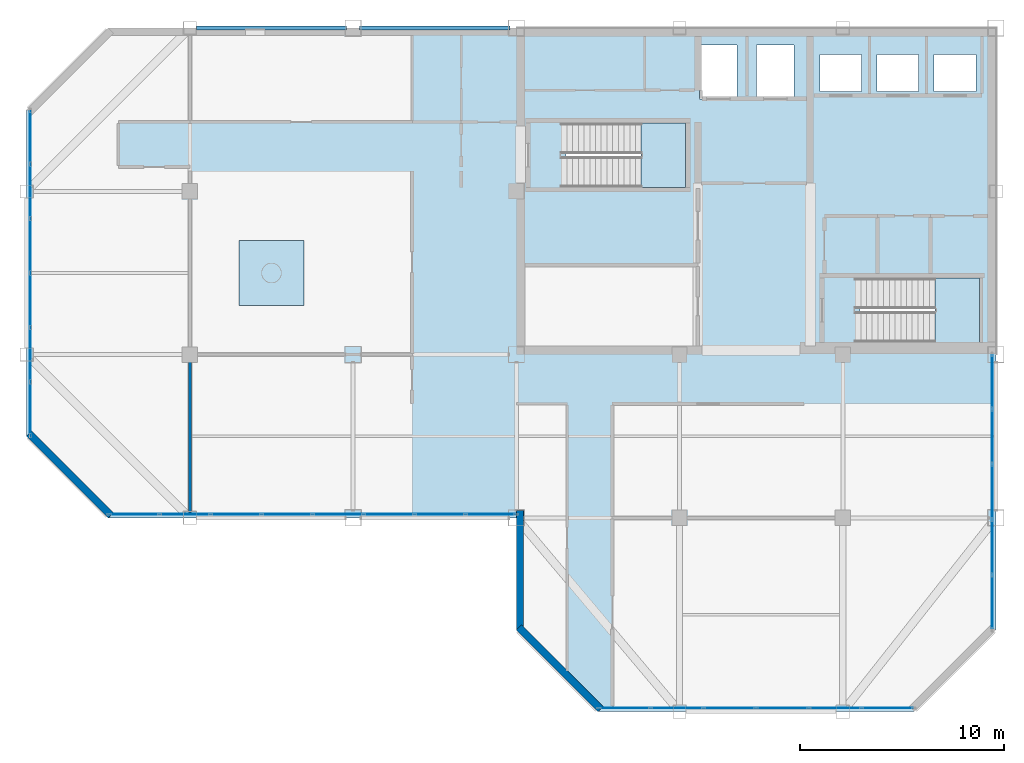
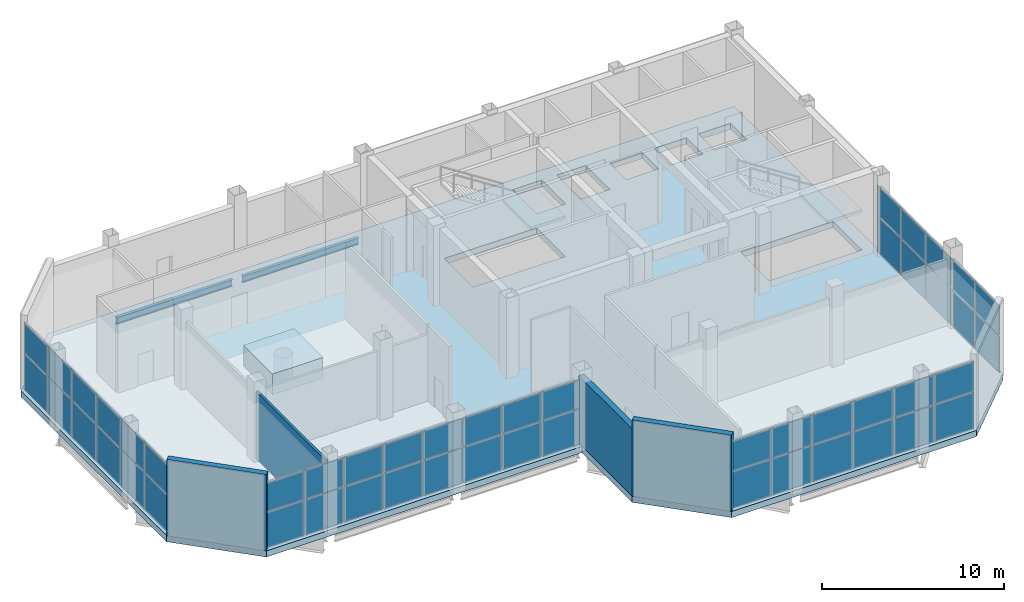
# One storey, part 11 of 17: 51 plates, 4 walls, 3 slabs, 2 beams, 6 elements without a shape of their own.
"""IFC4 building model written with IfcOpenShell, lengths in metres."""

from ifc_helpers import new_model, si_unit, direction, frame, frame_2d, origin, origin_2d, place, context, subcontext, project, spatial, polyline, rectangle, i_section, outline, extrude, material, layer, layer_set, material_profile, profile_set, type_object, element, aggregate, save


model = new_model("IFC4")

# Units and contexts
model_context = context("Model", 3, precision=1e-05, world=origin(), true_north=direction((0.0, 1.0)))
body_context = subcontext(model_context, "Body", "Model", "MODEL_VIEW")
ifc_project = project(units=[si_unit("LENGTHUNIT", "METRE"), si_unit("AREAUNIT", "SQUARE_METRE"), si_unit("VOLUMEUNIT", "CUBIC_METRE"), si_unit("PLANEANGLEUNIT", "RADIAN"), si_unit("MASSUNIT", "GRAM", prefix="KILO")], contexts=[model_context])

# Site, building, storey
site_placement = place(None, origin())
site = spatial("IfcSite", under=ifc_project, at=site_placement, CompositionType="ELEMENT")
building_placement = place(site_placement, origin())
building = spatial("IfcBuilding", under=site, at=building_placement, Name="Qianrong Seaharbour Tower", CompositionType="ELEMENT")
storey_placement = place(building_placement, frame((0.0, 0.0, 373.0)))
storey = spatial("IfcBuildingStorey", under=building, at=storey_placement, Name="L90", CompositionType="ELEMENT", Elevation=373.0)

# Beams
ifc_material_1 = material(Name="Structural steel SN400B", Category="steel")
ifc_material_profile = material_profile(ifc_material_1, i_section(OverallWidth=0.199951171875, OverallDepth=0.449951171875, WebThickness=0.009033203125, FlangeThickness=0.013916015625, FilletRadius=0.01806640625, at=origin_2d()), Name="H450x200x9x14")
ifc_profile_set = profile_set([ifc_material_profile], Name="Structural steel SN400B")
beam_type = type_object("IfcBeamType", Name="BM-SP-450", PredefinedType="SPANDREL", material=ifc_profile_set)
for number, where, z_axis, x_axis, name in (
    (1, (24.820068359375, 52.0, -0.635009765625), (1.0, 0.0, 0.0), (0.0, 1.0, 0.0), "L90 Spandrel Girder GH G4-G5"),
    (2, (32.820068359375, 52.0, -0.635009765625), (1.0, 0.0, 0.0), (0.0, 1.0, 0.0), "L90 Spandrel Girder GH G5-G6"),
):
    element("IfcBeam", number, at=place(storey_placement, frame(where, z_axis=z_axis, x_axis=x_axis)), inside=storey, type_object=beam_type, Name=name, PredefinedType="SPANDREL", context=body_context, shape_type="SweptSolid", body=[
        extrude(i_section(OverallWidth=0.199951171875, OverallDepth=0.449951171875, WebThickness=0.009033203125, FlangeThickness=0.013916015625, FilletRadius=0.01806640625, at=origin_2d()), origin(), (0.0, 0.0, 1.0), 7.35986328125),
    ])

# Curtain wall, plates
ifc_material_2 = material(Name="Anodised aluminium 6063-T6 and laminated low-e glass", Category="aluminium")
ifc_layer_1 = layer(ifc_material_2, 0.239990234375)
ifc_layer_set_1 = layer_set([ifc_layer_1], Name="Anodised aluminium 6063-T6 and laminated low-e glass")
curtain_wall_type = type_object("IfcCurtainWallType", Name="CW-SYS-6", PredefinedType="NOTDEFINED", material=ifc_layer_set_1)
curtain_wall_1_placement = place(storey_placement, origin())
curtain_wall_1 = element("IfcCurtainWall", 3, at=curtain_wall_1_placement, inside=storey, type_object=curtain_wall_type, Name="L90 TMD Exhibition Lantern Translucent Curtain Wall HARBOUR_RIBBON", PredefinedType="NOTDEFINED")
ifc_material_3 = material(Name="Translucent frosted laminated lantern glass", Category="glass")
ifc_layer_2 = layer(ifc_material_3, 0.0380859375)
ifc_layer_set_2 = layer_set([ifc_layer_2], Name="Translucent frosted laminated lantern glass")
plate_type_1 = type_object("IfcPlateType", Name="CW-PAN-LANTERN-38", PredefinedType="CURTAIN_PANEL", material=ifc_layer_set_2)
plate_1_placement = place(storey_placement, frame((39.248779296875, 28.179931640625, 0.070068359375), z_axis=(0.0, 0.0, 1.0), x_axis=(-1.0, 0.0, 0.0)))
plate_1 = element("IfcPlate", 4, at=plate_1_placement, type_object=plate_type_1, Name="CW-6 panel 1.1", PredefinedType="CURTAIN_PANEL", context=body_context, shape_type="SweptSolid", body=[
    extrude(rectangle(XDim=2.382568359375, YDim=0.0380859375, at=origin_2d()), origin(), (0.0, 0.0, 1.0), 2.353515625),
])
plate_2_placement = place(storey_placement, frame((39.248779296875, 28.179931640625, 2.49365234375), z_axis=(0.0, 0.0, 1.0), x_axis=(-1.0, 0.0, 0.0)))
plate_2 = element("IfcPlate", 5, at=plate_2_placement, type_object=plate_type_1, Name="CW-6 panel 1.2", PredefinedType="CURTAIN_PANEL", context=body_context, shape_type="SweptSolid", body=[
    extrude(rectangle(XDim=2.382568359375, YDim=0.0380859375, at=origin_2d()), origin(), (0.0, 0.0, 1.0), 1.906494140625),
])
plate_3_placement = place(storey_placement, frame((36.766357421875, 28.179931640625, 0.070068359375), z_axis=(0.0, 0.0, 1.0), x_axis=(-1.0, 0.0, 0.0)))
plate_3 = element("IfcPlate", 6, at=plate_3_placement, type_object=plate_type_1, Name="CW-6 panel 2.1", PredefinedType="CURTAIN_PANEL", context=body_context, shape_type="SweptSolid", body=[
    extrude(rectangle(XDim=2.422607421875, YDim=0.0380859375, at=origin_2d()), origin(), (0.0, 0.0, 1.0), 2.353515625),
])
plate_4_placement = place(storey_placement, frame((36.766357421875, 28.179931640625, 2.49365234375), z_axis=(0.0, 0.0, 1.0), x_axis=(-1.0, 0.0, 0.0)))
plate_4 = element("IfcPlate", 7, at=plate_4_placement, type_object=plate_type_1, Name="CW-6 panel 2.2", PredefinedType="CURTAIN_PANEL", context=body_context, shape_type="SweptSolid", body=[
    extrude(rectangle(XDim=2.422607421875, YDim=0.0380859375, at=origin_2d()), origin(), (0.0, 0.0, 1.0), 1.906494140625),
])
plate_5_placement = place(storey_placement, frame((34.263671875, 28.179931640625, 0.070068359375), z_axis=(0.0, 0.0, 1.0), x_axis=(-1.0, 0.0, 0.0)))
plate_5 = element("IfcPlate", 8, at=plate_5_placement, type_object=plate_type_1, Name="CW-6 panel 3.1", PredefinedType="CURTAIN_PANEL", context=body_context, shape_type="SweptSolid", body=[
    extrude(rectangle(XDim=2.422607421875, YDim=0.0380859375, at=origin_2d()), origin(), (0.0, 0.0, 1.0), 2.353515625),
])
plate_6_placement = place(storey_placement, frame((34.263671875, 28.179931640625, 2.49365234375), z_axis=(0.0, 0.0, 1.0), x_axis=(-1.0, 0.0, 0.0)))
plate_6 = element("IfcPlate", 9, at=plate_6_placement, type_object=plate_type_1, Name="CW-6 panel 3.2", PredefinedType="CURTAIN_PANEL", context=body_context, shape_type="SweptSolid", body=[
    extrude(rectangle(XDim=2.422607421875, YDim=0.0380859375, at=origin_2d()), origin(), (0.0, 0.0, 1.0), 1.906494140625),
])
plate_7_placement = place(storey_placement, frame((31.76123046875, 28.179931640625, 0.070068359375), z_axis=(0.0, 0.0, 1.0), x_axis=(-1.0, 0.0, 0.0)))
plate_7 = element("IfcPlate", 10, at=plate_7_placement, type_object=plate_type_1, Name="CW-6 panel 4.1", PredefinedType="CURTAIN_PANEL", context=body_context, shape_type="SweptSolid", body=[
    extrude(rectangle(XDim=2.422607421875, YDim=0.0380859375, at=origin_2d()), origin(), (0.0, 0.0, 1.0), 2.353515625),
])
plate_8_placement = place(storey_placement, frame((31.76123046875, 28.179931640625, 2.49365234375), z_axis=(0.0, 0.0, 1.0), x_axis=(-1.0, 0.0, 0.0)))
plate_8 = element("IfcPlate", 11, at=plate_8_placement, type_object=plate_type_1, Name="CW-6 panel 4.2", PredefinedType="CURTAIN_PANEL", context=body_context, shape_type="SweptSolid", body=[
    extrude(rectangle(XDim=2.422607421875, YDim=0.0380859375, at=origin_2d()), origin(), (0.0, 0.0, 1.0), 1.906494140625),
])
plate_9_placement = place(storey_placement, frame((29.2587890625, 28.179931640625, 0.070068359375), z_axis=(0.0, 0.0, 1.0), x_axis=(-1.0, 0.0, 0.0)))
plate_9 = element("IfcPlate", 12, at=plate_9_placement, type_object=plate_type_1, Name="CW-6 panel 5.1", PredefinedType="CURTAIN_PANEL", context=body_context, shape_type="SweptSolid", body=[
    extrude(rectangle(XDim=2.422607421875, YDim=0.0380859375, at=origin_2d()), origin(), (0.0, 0.0, 1.0), 2.353515625),
])
plate_10_placement = place(storey_placement, frame((29.2587890625, 28.179931640625, 2.49365234375), z_axis=(0.0, 0.0, 1.0), x_axis=(-1.0, 0.0, 0.0)))
plate_10 = element("IfcPlate", 13, at=plate_10_placement, type_object=plate_type_1, Name="CW-6 panel 5.2", PredefinedType="CURTAIN_PANEL", context=body_context, shape_type="SweptSolid", body=[
    extrude(rectangle(XDim=2.422607421875, YDim=0.0380859375, at=origin_2d()), origin(), (0.0, 0.0, 1.0), 1.906494140625),
])
plate_11_placement = place(storey_placement, frame((26.75634765625, 28.179931640625, 0.070068359375), z_axis=(0.0, 0.0, 1.0), x_axis=(-1.0, 0.0, 0.0)))
plate_11 = element("IfcPlate", 14, at=plate_11_placement, type_object=plate_type_1, Name="CW-6 panel 6.1", PredefinedType="CURTAIN_PANEL", context=body_context, shape_type="SweptSolid", body=[
    extrude(rectangle(XDim=2.422607421875, YDim=0.0380859375, at=origin_2d()), origin(), (0.0, 0.0, 1.0), 2.353515625),
])
plate_12_placement = place(storey_placement, frame((26.75634765625, 28.179931640625, 2.49365234375), z_axis=(0.0, 0.0, 1.0), x_axis=(-1.0, 0.0, 0.0)))
plate_12 = element("IfcPlate", 15, at=plate_12_placement, type_object=plate_type_1, Name="CW-6 panel 6.2", PredefinedType="CURTAIN_PANEL", context=body_context, shape_type="SweptSolid", body=[
    extrude(rectangle(XDim=2.422607421875, YDim=0.0380859375, at=origin_2d()), origin(), (0.0, 0.0, 1.0), 1.906494140625),
])
plate_13_placement = place(storey_placement, frame((24.253662109375, 28.179931640625, 0.070068359375), z_axis=(0.0, 0.0, 1.0), x_axis=(-1.0, 0.0, 0.0)))
plate_13 = element("IfcPlate", 16, at=plate_13_placement, type_object=plate_type_1, Name="CW-6 panel 7.1", PredefinedType="CURTAIN_PANEL", context=body_context, shape_type="SweptSolid", body=[
    extrude(rectangle(XDim=2.422607421875, YDim=0.0380859375, at=origin_2d()), origin(), (0.0, 0.0, 1.0), 2.353515625),
])
plate_14_placement = place(storey_placement, frame((24.253662109375, 28.179931640625, 2.49365234375), z_axis=(0.0, 0.0, 1.0), x_axis=(-1.0, 0.0, 0.0)))
plate_14 = element("IfcPlate", 17, at=plate_14_placement, type_object=plate_type_1, Name="CW-6 panel 7.2", PredefinedType="CURTAIN_PANEL", context=body_context, shape_type="SweptSolid", body=[
    extrude(rectangle(XDim=2.422607421875, YDim=0.0380859375, at=origin_2d()), origin(), (0.0, 0.0, 1.0), 1.906494140625),
])
plate_15_placement = place(storey_placement, frame((21.771240234375, 28.179931640625, 0.070068359375), z_axis=(0.0, 0.0, 1.0), x_axis=(-1.0, 0.0, 0.0)))
plate_15 = element("IfcPlate", 18, at=plate_15_placement, type_object=plate_type_1, Name="CW-6 panel 8.1", PredefinedType="CURTAIN_PANEL", context=body_context, shape_type="SweptSolid", body=[
    extrude(rectangle(XDim=2.382568359375, YDim=0.0380859375, at=origin_2d()), origin(), (0.0, 0.0, 1.0), 2.353515625),
])
plate_16_placement = place(storey_placement, frame((21.771240234375, 28.179931640625, 2.49365234375), z_axis=(0.0, 0.0, 1.0), x_axis=(-1.0, 0.0, 0.0)))
plate_16 = element("IfcPlate", 19, at=plate_16_placement, type_object=plate_type_1, Name="CW-6 panel 8.2", PredefinedType="CURTAIN_PANEL", context=body_context, shape_type="SweptSolid", body=[
    extrude(rectangle(XDim=2.382568359375, YDim=0.0380859375, at=origin_2d()), origin(), (0.0, 0.0, 1.0), 1.906494140625),
])
aggregate(curtain_wall_1, [plate_1, plate_2, plate_3, plate_4, plate_5, plate_6, plate_7, plate_8, plate_9, plate_10, plate_11, plate_12, plate_13, plate_14, plate_15, plate_16])

curtain_wall_2_placement = place(storey_placement, origin())
curtain_wall_2 = element("IfcCurtainWall", 20, at=curtain_wall_2_placement, inside=storey, type_object=curtain_wall_type, Name="L90 TMD Exhibition Lantern Translucent Curtain Wall WEST_TIP", PredefinedType="NOTDEFINED")
plate_17_placement = place(storey_placement, frame((16.679931640625, 33.353271484375, 0.070068359375), z_axis=(0.0, 0.0, 1.0), x_axis=(0.0, 1.0, 0.0)))
plate_17 = element("IfcPlate", 21, at=plate_17_placement, type_object=plate_type_1, Name="CW-6 panel 1.1", PredefinedType="CURTAIN_PANEL", context=body_context, shape_type="SweptSolid", body=[
    extrude(rectangle(XDim=2.546630859375, YDim=0.0380859375, at=origin_2d()), origin(), (0.0, 0.0, 1.0), 2.43603515625),
])
plate_18_placement = place(storey_placement, frame((16.679931640625, 33.353271484375, 2.575927734375), z_axis=(0.0, 0.0, 1.0), x_axis=(0.0, 1.0, 0.0)))
plate_18 = element("IfcPlate", 22, at=plate_18_placement, type_object=plate_type_1, Name="CW-6 panel 1.2", PredefinedType="CURTAIN_PANEL", context=body_context, shape_type="SweptSolid", body=[
    extrude(rectangle(XDim=2.546630859375, YDim=0.0380859375, at=origin_2d()), origin(), (0.0, 0.0, 1.0), 1.97412109375),
])
plate_19_placement = place(storey_placement, frame((16.679931640625, 36.0, 0.070068359375), z_axis=(0.0, 0.0, 1.0), x_axis=(0.0, 1.0, 0.0)))
plate_19 = element("IfcPlate", 23, at=plate_19_placement, type_object=plate_type_1, Name="CW-6 panel 2.1", PredefinedType="CURTAIN_PANEL", context=body_context, shape_type="SweptSolid", body=[
    extrude(rectangle(XDim=2.586669921875, YDim=0.0380859375, at=origin_2d()), origin(), (0.0, 0.0, 1.0), 2.43603515625),
])
plate_20_placement = place(storey_placement, frame((16.679931640625, 36.0, 2.575927734375), z_axis=(0.0, 0.0, 1.0), x_axis=(0.0, 1.0, 0.0)))
plate_20 = element("IfcPlate", 24, at=plate_20_placement, type_object=plate_type_1, Name="CW-6 panel 2.2", PredefinedType="CURTAIN_PANEL", context=body_context, shape_type="SweptSolid", body=[
    extrude(rectangle(XDim=2.586669921875, YDim=0.0380859375, at=origin_2d()), origin(), (0.0, 0.0, 1.0), 1.97412109375),
])
plate_21_placement = place(storey_placement, frame((16.679931640625, 38.666748046875, 0.070068359375), z_axis=(0.0, 0.0, 1.0), x_axis=(0.0, 1.0, 0.0)))
plate_21 = element("IfcPlate", 25, at=plate_21_placement, type_object=plate_type_1, Name="CW-6 panel 3.1", PredefinedType="CURTAIN_PANEL", context=body_context, shape_type="SweptSolid", body=[
    extrude(rectangle(XDim=2.586669921875, YDim=0.0380859375, at=origin_2d()), origin(), (0.0, 0.0, 1.0), 2.43603515625),
])
plate_22_placement = place(storey_placement, frame((16.679931640625, 38.666748046875, 2.575927734375), z_axis=(0.0, 0.0, 1.0), x_axis=(0.0, 1.0, 0.0)))
plate_22 = element("IfcPlate", 26, at=plate_22_placement, type_object=plate_type_1, Name="CW-6 panel 3.2", PredefinedType="CURTAIN_PANEL", context=body_context, shape_type="SweptSolid", body=[
    extrude(rectangle(XDim=2.586669921875, YDim=0.0380859375, at=origin_2d()), origin(), (0.0, 0.0, 1.0), 1.97412109375),
])
plate_23_placement = place(storey_placement, frame((16.679931640625, 41.333251953125, 0.070068359375), z_axis=(0.0, 0.0, 1.0), x_axis=(0.0, 1.0, 0.0)))
plate_23 = element("IfcPlate", 27, at=plate_23_placement, type_object=plate_type_1, Name="CW-6 panel 4.1", PredefinedType="CURTAIN_PANEL", context=body_context, shape_type="SweptSolid", body=[
    extrude(rectangle(XDim=2.586669921875, YDim=0.0380859375, at=origin_2d()), origin(), (0.0, 0.0, 1.0), 2.43603515625),
])
plate_24_placement = place(storey_placement, frame((16.679931640625, 41.333251953125, 2.575927734375), z_axis=(0.0, 0.0, 1.0), x_axis=(0.0, 1.0, 0.0)))
plate_24 = element("IfcPlate", 28, at=plate_24_placement, type_object=plate_type_1, Name="CW-6 panel 4.2", PredefinedType="CURTAIN_PANEL", context=body_context, shape_type="SweptSolid", body=[
    extrude(rectangle(XDim=2.586669921875, YDim=0.0380859375, at=origin_2d()), origin(), (0.0, 0.0, 1.0), 1.97412109375),
])
plate_25_placement = place(storey_placement, frame((16.679931640625, 44.0, 0.070068359375), z_axis=(0.0, 0.0, 1.0), x_axis=(0.0, 1.0, 0.0)))
plate_25 = element("IfcPlate", 29, at=plate_25_placement, type_object=plate_type_1, Name="CW-6 panel 5.1", PredefinedType="CURTAIN_PANEL", context=body_context, shape_type="SweptSolid", body=[
    extrude(rectangle(XDim=2.586669921875, YDim=0.0380859375, at=origin_2d()), origin(), (0.0, 0.0, 1.0), 2.43603515625),
])
plate_26_placement = place(storey_placement, frame((16.679931640625, 44.0, 2.575927734375), z_axis=(0.0, 0.0, 1.0), x_axis=(0.0, 1.0, 0.0)))
plate_26 = element("IfcPlate", 30, at=plate_26_placement, type_object=plate_type_1, Name="CW-6 panel 5.2", PredefinedType="CURTAIN_PANEL", context=body_context, shape_type="SweptSolid", body=[
    extrude(rectangle(XDim=2.586669921875, YDim=0.0380859375, at=origin_2d()), origin(), (0.0, 0.0, 1.0), 1.97412109375),
])
plate_27_placement = place(storey_placement, frame((16.679931640625, 46.646728515625, 0.070068359375), z_axis=(0.0, 0.0, 1.0), x_axis=(0.0, 1.0, 0.0)))
plate_27 = element("IfcPlate", 31, at=plate_27_placement, type_object=plate_type_1, Name="CW-6 panel 6.1", PredefinedType="CURTAIN_PANEL", context=body_context, shape_type="SweptSolid", body=[
    extrude(rectangle(XDim=2.546630859375, YDim=0.0380859375, at=origin_2d()), origin(), (0.0, 0.0, 1.0), 2.43603515625),
])
plate_28_placement = place(storey_placement, frame((16.679931640625, 46.646728515625, 2.575927734375), z_axis=(0.0, 0.0, 1.0), x_axis=(0.0, 1.0, 0.0)))
plate_28 = element("IfcPlate", 32, at=plate_28_placement, type_object=plate_type_1, Name="CW-6 panel 6.2", PredefinedType="CURTAIN_PANEL", context=body_context, shape_type="SweptSolid", body=[
    extrude(rectangle(XDim=2.546630859375, YDim=0.0380859375, at=origin_2d()), origin(), (0.0, 0.0, 1.0), 1.97412109375),
])
aggregate(curtain_wall_2, [plate_17, plate_18, plate_19, plate_20, plate_21, plate_22, plate_23, plate_24, plate_25, plate_26, plate_27, plate_28])

curtain_wall_3_placement = place(storey_placement, origin())
curtain_wall_3 = element("IfcCurtainWall", 33, at=curtain_wall_3_placement, inside=storey, type_object=curtain_wall_type, Name="L90 TMD Exhibition Lantern Translucent Curtain Wall EAST_WING", PredefinedType="NOTDEFINED")
plate_29_placement = place(storey_placement, frame((63.820068359375, 34.675048828125, 0.070068359375), z_axis=(0.0, 0.0, 1.0), x_axis=(0.0, -1.0, 0.0)))
plate_29 = element("IfcPlate", 34, at=plate_29_placement, type_object=plate_type_1, Name="CW-6 panel 1.1", PredefinedType="CURTAIN_PANEL", context=body_context, shape_type="SweptSolid", body=[
    extrude(rectangle(XDim=2.590087890625, YDim=0.0380859375, at=origin_2d()), origin(), (0.0, 0.0, 1.0), 2.43603515625),
])
plate_30_placement = place(storey_placement, frame((63.820068359375, 34.675048828125, 2.575927734375), z_axis=(0.0, 0.0, 1.0), x_axis=(0.0, -1.0, 0.0)))
plate_30 = element("IfcPlate", 35, at=plate_30_placement, type_object=plate_type_1, Name="CW-6 panel 1.2", PredefinedType="CURTAIN_PANEL", context=body_context, shape_type="SweptSolid", body=[
    extrude(rectangle(XDim=2.590087890625, YDim=0.0380859375, at=origin_2d()), origin(), (0.0, 0.0, 1.0), 1.97412109375),
])
plate_31_placement = place(storey_placement, frame((63.820068359375, 31.985107421875, 0.070068359375), z_axis=(0.0, 0.0, 1.0), x_axis=(0.0, -1.0, 0.0)))
plate_31 = element("IfcPlate", 36, at=plate_31_placement, type_object=plate_type_1, Name="CW-6 panel 2.1", PredefinedType="CURTAIN_PANEL", context=body_context, shape_type="SweptSolid", body=[
    extrude(rectangle(XDim=2.6298828125, YDim=0.0380859375, at=origin_2d()), origin(), (0.0, 0.0, 1.0), 2.43603515625),
])
plate_32_placement = place(storey_placement, frame((63.820068359375, 31.985107421875, 2.575927734375), z_axis=(0.0, 0.0, 1.0), x_axis=(0.0, -1.0, 0.0)))
plate_32 = element("IfcPlate", 37, at=plate_32_placement, type_object=plate_type_1, Name="CW-6 panel 2.2", PredefinedType="CURTAIN_PANEL", context=body_context, shape_type="SweptSolid", body=[
    extrude(rectangle(XDim=2.6298828125, YDim=0.0380859375, at=origin_2d()), origin(), (0.0, 0.0, 1.0), 1.97412109375),
])
plate_33_placement = place(storey_placement, frame((63.820068359375, 29.27490234375, 0.070068359375), z_axis=(0.0, 0.0, 1.0), x_axis=(0.0, -1.0, 0.0)))
plate_33 = element("IfcPlate", 38, at=plate_33_placement, type_object=plate_type_1, Name="CW-6 panel 3.1", PredefinedType="CURTAIN_PANEL", context=body_context, shape_type="SweptSolid", body=[
    extrude(rectangle(XDim=2.6298828125, YDim=0.0380859375, at=origin_2d()), origin(), (0.0, 0.0, 1.0), 2.43603515625),
])
plate_34_placement = place(storey_placement, frame((63.820068359375, 29.27490234375, 2.575927734375), z_axis=(0.0, 0.0, 1.0), x_axis=(0.0, -1.0, 0.0)))
plate_34 = element("IfcPlate", 39, at=plate_34_placement, type_object=plate_type_1, Name="CW-6 panel 3.2", PredefinedType="CURTAIN_PANEL", context=body_context, shape_type="SweptSolid", body=[
    extrude(rectangle(XDim=2.6298828125, YDim=0.0380859375, at=origin_2d()), origin(), (0.0, 0.0, 1.0), 1.97412109375),
])
plate_35_placement = place(storey_placement, frame((63.820068359375, 26.56494140625, 0.070068359375), z_axis=(0.0, 0.0, 1.0), x_axis=(0.0, -1.0, 0.0)))
plate_35 = element("IfcPlate", 40, at=plate_35_placement, type_object=plate_type_1, Name="CW-6 panel 4.1", PredefinedType="CURTAIN_PANEL", context=body_context, shape_type="SweptSolid", body=[
    extrude(rectangle(XDim=2.6298828125, YDim=0.0380859375, at=origin_2d()), origin(), (0.0, 0.0, 1.0), 2.43603515625),
])
plate_36_placement = place(storey_placement, frame((63.820068359375, 26.56494140625, 2.575927734375), z_axis=(0.0, 0.0, 1.0), x_axis=(0.0, -1.0, 0.0)))
plate_36 = element("IfcPlate", 41, at=plate_36_placement, type_object=plate_type_1, Name="CW-6 panel 4.2", PredefinedType="CURTAIN_PANEL", context=body_context, shape_type="SweptSolid", body=[
    extrude(rectangle(XDim=2.6298828125, YDim=0.0380859375, at=origin_2d()), origin(), (0.0, 0.0, 1.0), 1.97412109375),
])
plate_37_placement = place(storey_placement, frame((63.820068359375, 23.875, 0.070068359375), z_axis=(0.0, 0.0, 1.0), x_axis=(0.0, -1.0, 0.0)))
plate_37 = element("IfcPlate", 42, at=plate_37_placement, type_object=plate_type_1, Name="CW-6 panel 5.1", PredefinedType="CURTAIN_PANEL", context=body_context, shape_type="SweptSolid", body=[
    extrude(rectangle(XDim=2.590087890625, YDim=0.0380859375, at=origin_2d()), origin(), (0.0, 0.0, 1.0), 2.43603515625),
])
plate_38_placement = place(storey_placement, frame((63.820068359375, 23.875, 2.575927734375), z_axis=(0.0, 0.0, 1.0), x_axis=(0.0, -1.0, 0.0)))
plate_38 = element("IfcPlate", 43, at=plate_38_placement, type_object=plate_type_1, Name="CW-6 panel 5.2", PredefinedType="CURTAIN_PANEL", context=body_context, shape_type="SweptSolid", body=[
    extrude(rectangle(XDim=2.590087890625, YDim=0.0380859375, at=origin_2d()), origin(), (0.0, 0.0, 1.0), 1.97412109375),
])
aggregate(curtain_wall_3, [plate_29, plate_30, plate_31, plate_32, plate_33, plate_34, plate_35, plate_36, plate_37, plate_38])

curtain_wall_4_placement = place(storey_placement, origin())
curtain_wall_4 = element("IfcCurtainWall", 44, at=curtain_wall_4_placement, inside=storey, type_object=curtain_wall_type, Name="L90 TMD Exhibition Lantern Translucent Curtain Wall SOUTH_TIP", PredefinedType="NOTDEFINED")
plate_39_placement = place(storey_placement, frame((58.688232421875, 18.679931640625, 0.070068359375), z_axis=(0.0, 0.0, 1.0), x_axis=(-1.0, 0.0, 0.0)))
plate_39 = element("IfcPlate", 45, at=plate_39_placement, type_object=plate_type_1, Name="CW-6 panel 1.1", PredefinedType="CURTAIN_PANEL", context=body_context, shape_type="SweptSolid", body=[
    extrude(rectangle(XDim=2.46337890625, YDim=0.0380859375, at=origin_2d()), origin(), (0.0, 0.0, 1.0), 2.43603515625),
])
plate_40_placement = place(storey_placement, frame((58.688232421875, 18.679931640625, 2.575927734375), z_axis=(0.0, 0.0, 1.0), x_axis=(-1.0, 0.0, 0.0)))
plate_40 = element("IfcPlate", 46, at=plate_40_placement, type_object=plate_type_1, Name="CW-6 panel 1.2", PredefinedType="CURTAIN_PANEL", context=body_context, shape_type="SweptSolid", body=[
    extrude(rectangle(XDim=2.46337890625, YDim=0.0380859375, at=origin_2d()), origin(), (0.0, 0.0, 1.0), 1.97412109375),
])
plate_41_placement = place(storey_placement, frame((56.125, 18.679931640625, 0.070068359375), z_axis=(0.0, 0.0, 1.0), x_axis=(-1.0, 0.0, 0.0)))
plate_41 = element("IfcPlate", 47, at=plate_41_placement, type_object=plate_type_1, Name="CW-6 panel 2.1", PredefinedType="CURTAIN_PANEL", context=body_context, shape_type="SweptSolid", body=[
    extrude(rectangle(XDim=2.50341796875, YDim=0.0380859375, at=origin_2d()), origin(), (0.0, 0.0, 1.0), 2.43603515625),
])
plate_42_placement = place(storey_placement, frame((56.125, 18.679931640625, 2.575927734375), z_axis=(0.0, 0.0, 1.0), x_axis=(-1.0, 0.0, 0.0)))
plate_42 = element("IfcPlate", 48, at=plate_42_placement, type_object=plate_type_1, Name="CW-6 panel 2.2", PredefinedType="CURTAIN_PANEL", context=body_context, shape_type="SweptSolid", body=[
    extrude(rectangle(XDim=2.50341796875, YDim=0.0380859375, at=origin_2d()), origin(), (0.0, 0.0, 1.0), 1.97412109375),
])
plate_43_placement = place(storey_placement, frame((53.541748046875, 18.679931640625, 0.070068359375), z_axis=(0.0, 0.0, 1.0), x_axis=(-1.0, 0.0, 0.0)))
plate_43 = element("IfcPlate", 49, at=plate_43_placement, type_object=plate_type_1, Name="CW-6 panel 3.1", PredefinedType="CURTAIN_PANEL", context=body_context, shape_type="SweptSolid", body=[
    extrude(rectangle(XDim=2.50341796875, YDim=0.0380859375, at=origin_2d()), origin(), (0.0, 0.0, 1.0), 2.43603515625),
])
plate_44_placement = place(storey_placement, frame((53.541748046875, 18.679931640625, 2.575927734375), z_axis=(0.0, 0.0, 1.0), x_axis=(-1.0, 0.0, 0.0)))
plate_44 = element("IfcPlate", 50, at=plate_44_placement, type_object=plate_type_1, Name="CW-6 panel 3.2", PredefinedType="CURTAIN_PANEL", context=body_context, shape_type="SweptSolid", body=[
    extrude(rectangle(XDim=2.50341796875, YDim=0.0380859375, at=origin_2d()), origin(), (0.0, 0.0, 1.0), 1.97412109375),
])
plate_45_placement = place(storey_placement, frame((50.958251953125, 18.679931640625, 0.070068359375), z_axis=(0.0, 0.0, 1.0), x_axis=(-1.0, 0.0, 0.0)))
plate_45 = element("IfcPlate", 51, at=plate_45_placement, type_object=plate_type_1, Name="CW-6 panel 4.1", PredefinedType="CURTAIN_PANEL", context=body_context, shape_type="SweptSolid", body=[
    extrude(rectangle(XDim=2.50341796875, YDim=0.0380859375, at=origin_2d()), origin(), (0.0, 0.0, 1.0), 2.43603515625),
])
plate_46_placement = place(storey_placement, frame((50.958251953125, 18.679931640625, 2.575927734375), z_axis=(0.0, 0.0, 1.0), x_axis=(-1.0, 0.0, 0.0)))
plate_46 = element("IfcPlate", 52, at=plate_46_placement, type_object=plate_type_1, Name="CW-6 panel 4.2", PredefinedType="CURTAIN_PANEL", context=body_context, shape_type="SweptSolid", body=[
    extrude(rectangle(XDim=2.50341796875, YDim=0.0380859375, at=origin_2d()), origin(), (0.0, 0.0, 1.0), 1.97412109375),
])
plate_47_placement = place(storey_placement, frame((48.375, 18.679931640625, 0.070068359375), z_axis=(0.0, 0.0, 1.0), x_axis=(-1.0, 0.0, 0.0)))
plate_47 = element("IfcPlate", 53, at=plate_47_placement, type_object=plate_type_1, Name="CW-6 panel 5.1", PredefinedType="CURTAIN_PANEL", context=body_context, shape_type="SweptSolid", body=[
    extrude(rectangle(XDim=2.50341796875, YDim=0.0380859375, at=origin_2d()), origin(), (0.0, 0.0, 1.0), 2.43603515625),
])
plate_48_placement = place(storey_placement, frame((48.375, 18.679931640625, 2.575927734375), z_axis=(0.0, 0.0, 1.0), x_axis=(-1.0, 0.0, 0.0)))
plate_48 = element("IfcPlate", 54, at=plate_48_placement, type_object=plate_type_1, Name="CW-6 panel 5.2", PredefinedType="CURTAIN_PANEL", context=body_context, shape_type="SweptSolid", body=[
    extrude(rectangle(XDim=2.50341796875, YDim=0.0380859375, at=origin_2d()), origin(), (0.0, 0.0, 1.0), 1.97412109375),
])
plate_49_placement = place(storey_placement, frame((45.811767578125, 18.679931640625, 0.070068359375), z_axis=(0.0, 0.0, 1.0), x_axis=(-1.0, 0.0, 0.0)))
plate_49 = element("IfcPlate", 55, at=plate_49_placement, type_object=plate_type_1, Name="CW-6 panel 6.1", PredefinedType="CURTAIN_PANEL", context=body_context, shape_type="SweptSolid", body=[
    extrude(rectangle(XDim=2.46337890625, YDim=0.0380859375, at=origin_2d()), origin(), (0.0, 0.0, 1.0), 2.43603515625),
])
plate_50_placement = place(storey_placement, frame((45.811767578125, 18.679931640625, 2.575927734375), z_axis=(0.0, 0.0, 1.0), x_axis=(-1.0, 0.0, 0.0)))
plate_50 = element("IfcPlate", 56, at=plate_50_placement, type_object=plate_type_1, Name="CW-6 panel 6.2", PredefinedType="CURTAIN_PANEL", context=body_context, shape_type="SweptSolid", body=[
    extrude(rectangle(XDim=2.46337890625, YDim=0.0380859375, at=origin_2d()), origin(), (0.0, 0.0, 1.0), 1.97412109375),
])
aggregate(curtain_wall_4, [plate_39, plate_40, plate_41, plate_42, plate_43, plate_44, plate_45, plate_46, plate_47, plate_48, plate_49, plate_50])

# Plate
ifc_material_4 = material(Name="Structural steel SN490B", Category="steel")
ifc_layer_3 = layer(ifc_material_4, 0.050048828125)
ifc_layer_set_3 = layer_set([ifc_layer_3], Name="Structural steel SN490B")
plate_type_2 = type_object("IfcPlateType", Name="PLT-OUTRIGGER-GUSSET-50", PredefinedType="USERDEFINED", material=ifc_layer_set_3)
plate_51_placement = place(storey_placement, frame((28.5, 40.0, 1.900146484375), z_axis=(0.0, 0.0, 1.0), x_axis=(1.0, 0.0, 0.0)))
element("IfcPlate", 57, at=plate_51_placement, inside=storey, type_object=plate_type_2, Name="Pendulum Tuned Mass Damper Steel Mass Assembly TMD-1", ObjectType="GUSSET PLATE", PredefinedType="USERDEFINED", context=body_context, shape_type="SweptSolid", body=[
    extrude(rectangle(XDim=3.199951171875, YDim=3.199951171875, at=origin_2d()), origin(), (0.0, 0.0, 1.0), 1.39990234375),
])

# Stair, slab
ifc_material_5 = material(Name="Concrete C50/60", Category="concrete")
stair_type = type_object("IfcStairType", Name="STAIR-DOGLEG-1500-R30", PredefinedType="HALF_TURN_STAIR", material=ifc_material_5)
stair_1_placement = place(storey_placement, origin())
stair_1 = element("IfcStair", 58, at=stair_1_placement, inside=storey, type_object=stair_type, Name="L90 Protected Escape Stair ST-1", PredefinedType="HALF_TURN_STAIR")
ifc_layer_4 = layer(ifc_material_5, 0.199951171875)
ifc_layer_set_4 = layer_set([ifc_layer_4], Name="Concrete C50/60")
slab_type_1 = type_object("IfcSlabType", Name="SLAB-STAIR-LANDING-200", PredefinedType="LANDING", material=ifc_layer_set_4)
slab_1_placement = place(storey_placement, frame((0.0, 0.0, 2.5)))
slab_1 = element("IfcSlab", 59, at=slab_1_placement, type_object=slab_type_1, Name="ST-1 landing 1", PredefinedType="LANDING", context=body_context, shape_type="SweptSolid", body=[
    extrude(outline(polyline([(46.6201171875, 44.199951171875), (48.800048828125, 44.199951171875), (48.800048828125, 47.35009765625), (46.6201171875, 47.35009765625), (46.6201171875, 44.199951171875)])), origin(), (0.0, 0.0, 1.0), 0.199951171875),
])
aggregate(stair_1, [slab_1])

stair_2_placement = place(storey_placement, origin())
stair_2 = element("IfcStair", 60, at=stair_2_placement, inside=storey, type_object=stair_type, Name="L90 Protected Escape Stair ST-2", PredefinedType="HALF_TURN_STAIR")
slab_2_placement = place(storey_placement, frame((0.0, 0.0, 2.5)))
slab_2 = element("IfcSlab", 61, at=slab_2_placement, type_object=slab_type_1, Name="ST-2 landing 1", PredefinedType="LANDING", context=body_context, shape_type="SweptSolid", body=[
    extrude(outline(polyline([(61.02001953125, 36.60009765625), (63.199951171875, 36.60009765625), (63.199951171875, 39.75), (61.02001953125, 39.75), (61.02001953125, 36.60009765625)])), origin(), (0.0, 0.0, 1.0), 0.199951171875),
])
aggregate(stair_2, [slab_2])

# Slab
ifc_material_6 = material(Name="Concrete C60/75", Category="concrete")
ifc_layer_5 = layer(ifc_material_6, 0.409912109375)
ifc_layer_set_5 = layer_set([ifc_layer_5], Name="Concrete C60/75")
slab_type_2 = type_object("IfcSlabType", Name="SLAB-TMD-410", PredefinedType="FLOOR", material=ifc_layer_set_5)
slab_3_placement = place(storey_placement, frame((0.0, 0.0, -0.409912109375)))
element("IfcSlab", 62, at=slab_3_placement, inside=storey, type_object=slab_type_2, Name="L90 Structural Floor Slab", PredefinedType="FLOOR", context=body_context, shape_type="SweptSolid", body=[
    extrude(outline(polyline([(44.5, 18.5), (60.0, 18.5), (64.0, 22.5), (64.0, 52.0), (20.5, 52.0), (16.5, 48.0), (16.5, 32.0), (20.5, 28.0), (40.5, 28.0), (40.5, 22.5), (44.5, 18.5)]), holes=[polyline([(42.93994140625, 44.199951171875), (42.93994140625, 47.35009765625), (48.800048828125, 47.35009765625), (48.800048828125, 44.199951171875), (42.93994140625, 44.199951171875)]), polyline([(57.340087890625, 36.60009765625), (57.340087890625, 39.75), (63.199951171875, 39.75), (63.199951171875, 36.60009765625), (57.340087890625, 36.60009765625)]), polyline([(49.47998046875, 48.530029296875), (49.47998046875, 51.169921875), (51.320068359375, 51.169921875), (51.320068359375, 48.530029296875), (49.47998046875, 48.530029296875)]), polyline([(52.280029296875, 48.530029296875), (52.280029296875, 51.169921875), (54.1201171875, 51.169921875), (54.1201171875, 48.530029296875), (52.280029296875, 48.530029296875)]), polyline([(55.3798828125, 48.89990234375), (55.3798828125, 50.699951171875), (57.419921875, 50.699951171875), (57.419921875, 48.89990234375), (55.3798828125, 48.89990234375)]), polyline([(58.179931640625, 48.89990234375), (58.179931640625, 50.699951171875), (60.219970703125, 50.699951171875), (60.219970703125, 48.89990234375), (58.179931640625, 48.89990234375)]), polyline([(60.97998046875, 48.89990234375), (60.97998046875, 50.699951171875), (63.02001953125, 50.699951171875), (63.02001953125, 48.89990234375), (60.97998046875, 48.89990234375)])]), origin(), (0.0, 0.0, 1.0), 0.409912109375),
])

# Walls
ifc_material_7 = material(Name="Unitised red brick on Precast concrete C45/55", Category="masonry")
ifc_layer_6 = layer(ifc_material_7, 0.360107421875)
ifc_layer_set_6 = layer_set([ifc_layer_6], Name="Unitised red brick on Precast concrete C45/55")
wall_type_1 = type_object("IfcWallType", Name="WALL-EXT-BRICK-RED-360", PredefinedType="SOLIDWALL", material=ifc_layer_set_6)
wall_1_placement = place(storey_placement, frame((40.679931640625, 22.5, 0.0), z_axis=(0.0, 0.0, 1.0), x_axis=(0.0, 1.0, 0.0)))
element("IfcWall", 63, at=wall_1_placement, inside=storey, type_object=wall_type_1, Name="L90 Exterior Masonry Facade Wall REENTRANT_WEST", PredefinedType="SOLIDWALL", context=body_context, shape_type="SweptSolid", body=[
    extrude(rectangle(XDim=5.860107421875, YDim=0.360107421875, at=frame_2d((2.93017578125, 0.0))), origin(), (0.0, 0.0, 1.0), 4.510009765625),
])
for number, where, z_axis, x_axis, name in (
    (64, (20.627197265625, 28.127197265625, 0.0), (0.0, 0.0, 1.0), (-0.707106781187, 0.707106781187, 0.0), "L90 Exterior Masonry Facade Wall E02"),
    (65, (44.627197265625, 18.627197265625, 0.0), (0.0, 0.0, 1.0), (-0.707106781187, 0.707106781187, 0.0), "L90 Exterior Masonry Facade Wall E09"),
):
    element("IfcWall", number, at=place(storey_placement, frame(where, z_axis=z_axis, x_axis=x_axis)), inside=storey, type_object=wall_type_1, Name=name, PredefinedType="SOLIDWALL", context=body_context, shape_type="SweptSolid", body=[
        extrude(rectangle(XDim=5.65673828125, YDim=0.360107421875, at=frame_2d((2.828369140625, 0.0))), origin(), (0.0, 0.0, 1.0), 5.110107421875),
    ])
ifc_material_8 = material(Name="Acoustic gypsum board stud partition")
ifc_layer_7 = layer(ifc_material_8, 0.14501953125)
ifc_layer_set_7 = layer_set([ifc_layer_7], Name="Acoustic gypsum board stud partition")
wall_type_2 = type_object("IfcWallType", Name="WALL-OFFICE-PART-145", PredefinedType="PARTITIONING", material=ifc_layer_set_7)
wall_2_placement = place(storey_placement, frame((24.5, 35.935546875, 0.0), z_axis=(0.0, 0.0, 1.0), x_axis=(0.0, -1.0, 0.0)))
element("IfcWall", 66, at=wall_2_placement, inside=storey, type_object=wall_type_2, Name="L90 Interior Partition Wall 034", PredefinedType="PARTITIONING", context=body_context, shape_type="SweptSolid", body=[
    extrude(rectangle(XDim=7.653564453125, YDim=0.14501953125, at=frame_2d((3.82666015625, 0.0))), origin(), (0.0, 0.0, 1.0), 4.501953125),
])

save(model, "model.ifc")
